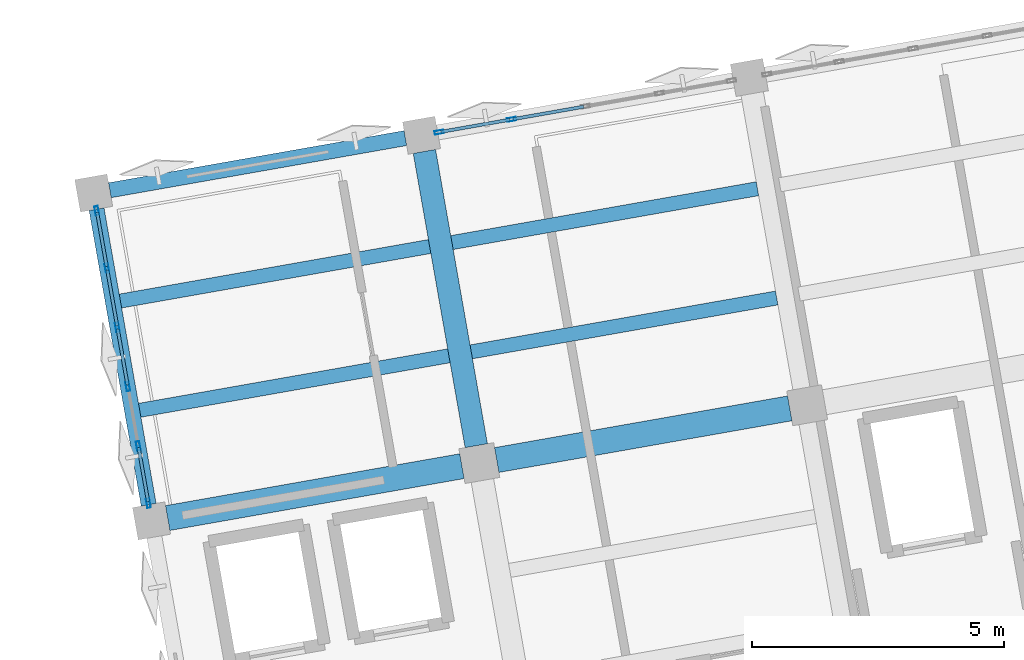
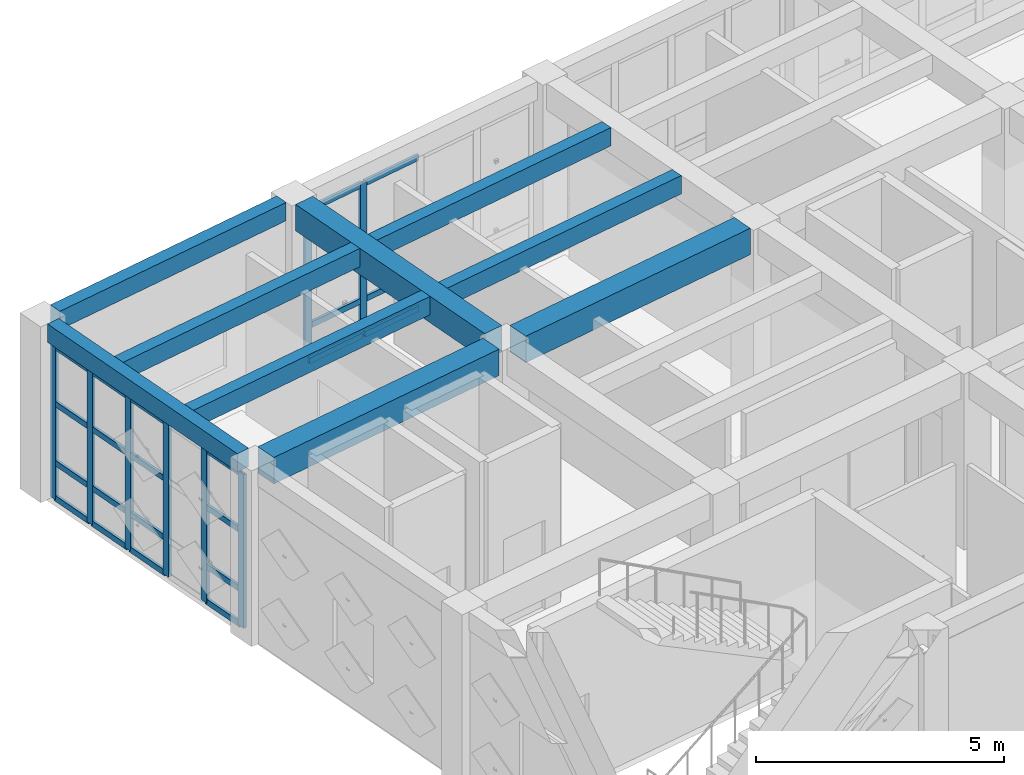
# One storey, part 15 of 67: 32 members, 9 beams, 2 elements without a shape of their own.
"""IFC4 building model written with IfcOpenShell, lengths in metres."""

from ifc_helpers import new_model, si_unit, direction, frame, origin, origin_2d, place, context, subcontext, project, spatial, rectangle, hollow_rectangle, extrude, material, layer, layer_set, material_profile, profile_set, type_object, element, aggregate, save


model = new_model("IFC4")

# Units and contexts
model_context = context("Model", 3, precision=1e-05, world=origin(), true_north=direction((0.0, 1.0)))
body_context = subcontext(model_context, "Body", "Model", "MODEL_VIEW")
ifc_project = project(units=[si_unit("LENGTHUNIT", "METRE"), si_unit("AREAUNIT", "SQUARE_METRE"), si_unit("VOLUMEUNIT", "CUBIC_METRE"), si_unit("PLANEANGLEUNIT", "RADIAN"), si_unit("MASSUNIT", "GRAM", prefix="KILO")], contexts=[model_context])

# Site, building, storey
site_placement = place(None, origin())
site = spatial("IfcSite", under=ifc_project, at=site_placement, CompositionType="ELEMENT")
building_placement = place(site_placement, origin())
building = spatial("IfcBuilding", under=site, at=building_placement, Name="Kharisveld Research Institute", CompositionType="ELEMENT")
storey_placement = place(building_placement, frame((0.0, 0.0, 9.60009765625)))
storey = spatial("IfcBuildingStorey", under=building, at=storey_placement, Name="L02", CompositionType="ELEMENT", Elevation=9.60009765625)

# Beams
ifc_material_1 = material(Name="Concrete C40/50", Category="concrete")
ifc_material_profile_1 = material_profile(ifc_material_1, rectangle(XDim=0.449951171875, YDim=0.64990234375, at=origin_2d()))
ifc_profile_set_1 = profile_set([ifc_material_profile_1], Name="Concrete C40/50")
beam_type_1 = type_object("IfcBeamType", Name="BM_RC_450x650", PredefinedType="BEAM", material=ifc_profile_set_1)
beam_1_placement = place(storey_placement, frame((9.3466796875, 49.500244140625, 3.994873046875), z_axis=(-0.173639592071, 0.984809266846, 0.0), x_axis=(-0.984809266846, -0.173639592071, 0.0)))
element("IfcBeam", 1, at=beam_1_placement, inside=storey, type_object=beam_type_1, Name="BM:V1:L02:V1_2", PredefinedType="BEAM", context=body_context, shape_type="SweptSolid", body=[
    extrude(rectangle(XDim=0.449951171875, YDim=0.64990234375, at=origin_2d()), origin(), (0.0, 0.0, 1.0), 5.925048828125),
])
ifc_material_2 = material(Name="Concrete C40/50", Category="concrete")
ifc_material_profile_2 = material_profile(ifc_material_2, rectangle(XDim=0.5, YDim=0.64990234375, at=origin_2d()))
ifc_profile_set_2 = profile_set([ifc_material_profile_2], Name="Concrete C40/50")
beam_type_2 = type_object("IfcBeamType", Name="BM_RC_500x650", PredefinedType="BEAM", material=ifc_profile_set_2)
beam_2_placement = place(storey_placement, frame((3.22802734375, 48.06591796875, 3.994873046875), z_axis=(0.984809266846, 0.173639592071, 0.0), x_axis=(-0.173639592071, 0.984809266846, 0.0)))
element("IfcBeam", 2, at=beam_2_placement, inside=storey, type_object=beam_type_2, Name="BM:V1:L02:U0_2", PredefinedType="BEAM", context=body_context, shape_type="SweptSolid", body=[
    extrude(rectangle(XDim=0.5, YDim=0.64990234375, at=origin_2d()), origin(), (0.0, 0.0, 1.0), 5.925048828125),
])
beam_3_placement = place(storey_placement, frame((9.752197265625, 49.21630859375, 3.994873046875), z_axis=(0.98481187206, 0.173624815763, 0.0), x_axis=(-0.173624815763, 0.98481187206, 0.0)))
element("IfcBeam", 3, at=beam_3_placement, inside=storey, type_object=beam_type_2, Name="BM:V1:L02:U1_2", PredefinedType="BEAM", context=body_context, shape_type="SweptSolid", body=[
    extrude(rectangle(XDim=0.5, YDim=0.64990234375, at=origin_2d()), origin(), (0.0, 0.0, 1.0), 5.900146484375),
])

# Curtain wall, members
ifc_material_3 = material(Name="Thermally Broken Aluminium Curtain Wall", Category="aluminium")
ifc_layer_1 = layer(ifc_material_3, 0.159912109375)
ifc_layer_set_1 = layer_set([ifc_layer_1], Name="CW_SYS_01")
curtain_wall_type_1 = type_object("IfcCurtainWallType", Name="CW_SYS_01", PredefinedType="NOTDEFINED", material=ifc_layer_set_1)
curtain_wall_1_placement = place(storey_placement, origin())
curtain_wall_1 = element("IfcCurtainWall", 4, at=curtain_wall_1_placement, inside=storey, type_object=curtain_wall_type_1, Name="CW:V1:L02:W2", PredefinedType="NOTDEFINED")
ifc_material_4 = material(Name="Anodised Aluminium AW-6063-T6", Category="aluminium")
ifc_material_profile_3 = material_profile(ifc_material_4, hollow_rectangle(XDim=0.070068359375, YDim=0.179931640625, WallThickness=0.00439453125, at=origin_2d()))
ifc_profile_set_3 = profile_set([ifc_material_profile_3], Name="Anodised Aluminium AW-6063-T6")
member_type_1 = type_object("IfcMemberType", Name="CW_MUL_180", PredefinedType="MULLION", material=ifc_profile_set_3)
member_1_placement = place(storey_placement, frame((2.84619140625, 48.359130859375, 0.0), z_axis=(0.0, 0.0, 1.0), x_axis=(-0.984807737371, -0.173648266375, 0.0)))
member_1 = element("IfcMember", 5, at=member_1_placement, type_object=member_type_1, Name="CW-01 mullion 1", PredefinedType="MULLION", context=body_context, shape_type="SweptSolid", body=[
    extrude(hollow_rectangle(XDim=0.070068359375, YDim=0.179931640625, WallThickness=0.00439453125, at=origin_2d()), origin(), (0.0, 0.0, 1.0), 3.77978515625),
])
member_2_placement = place(storey_placement, frame((2.645263671875, 49.49853515625, 0.0), z_axis=(0.0, 0.0, 1.0), x_axis=(-0.984807737371, -0.173648266375, 0.0)))
member_2 = element("IfcMember", 6, at=member_2_placement, type_object=member_type_1, Name="CW-01 mullion 2", PredefinedType="MULLION", context=body_context, shape_type="SweptSolid", body=[
    extrude(hollow_rectangle(XDim=0.070068359375, YDim=0.179931640625, WallThickness=0.00439453125, at=origin_2d()), origin(), (0.0, 0.0, 1.0), 3.77978515625),
])
member_3_placement = place(storey_placement, frame((2.438232421875, 50.67236328125, 0.0), z_axis=(0.0, 0.0, 1.0), x_axis=(-0.984807737371, -0.173648266375, 0.0)))
member_3 = element("IfcMember", 7, at=member_3_placement, type_object=member_type_1, Name="CW-01 mullion 3", PredefinedType="MULLION", context=body_context, shape_type="SweptSolid", body=[
    extrude(hollow_rectangle(XDim=0.070068359375, YDim=0.179931640625, WallThickness=0.00439453125, at=origin_2d()), origin(), (0.0, 0.0, 1.0), 3.77978515625),
])
member_4_placement = place(storey_placement, frame((2.231201171875, 51.84619140625, 0.0), z_axis=(0.0, 0.0, 1.0), x_axis=(-0.984807737371, -0.173648266375, 0.0)))
member_4 = element("IfcMember", 8, at=member_4_placement, type_object=member_type_1, Name="CW-01 mullion 4", PredefinedType="MULLION", context=body_context, shape_type="SweptSolid", body=[
    extrude(hollow_rectangle(XDim=0.070068359375, YDim=0.179931640625, WallThickness=0.00439453125, at=origin_2d()), origin(), (0.0, 0.0, 1.0), 3.77978515625),
])
member_5_placement = place(storey_placement, frame((2.0244140625, 53.020263671875, 0.0), z_axis=(0.0, 0.0, 1.0), x_axis=(-0.984807737371, -0.173648266375, 0.0)))
member_5 = element("IfcMember", 9, at=member_5_placement, type_object=member_type_1, Name="CW-01 mullion 5", PredefinedType="MULLION", context=body_context, shape_type="SweptSolid", body=[
    extrude(hollow_rectangle(XDim=0.070068359375, YDim=0.179931640625, WallThickness=0.00439453125, at=origin_2d()), origin(), (0.0, 0.0, 1.0), 3.77978515625),
])
member_6_placement = place(storey_placement, frame((1.823486328125, 54.15966796875, 0.0), z_axis=(0.0, 0.0, 1.0), x_axis=(-0.984807737371, -0.173648266375, 0.0)))
member_6 = element("IfcMember", 10, at=member_6_placement, type_object=member_type_1, Name="CW-01 mullion 6", PredefinedType="MULLION", context=body_context, shape_type="SweptSolid", body=[
    extrude(hollow_rectangle(XDim=0.070068359375, YDim=0.179931640625, WallThickness=0.00439453125, at=origin_2d()), origin(), (0.0, 0.0, 1.0), 3.77978515625),
])

ifc_material_5 = material(Name="Thermally Broken Aluminium Curtain Wall", Category="aluminium")
ifc_layer_2 = layer(ifc_material_5, 0.159912109375)
ifc_layer_set_2 = layer_set([ifc_layer_2], Name="CW_SYS_02")
curtain_wall_type_2 = type_object("IfcCurtainWallType", Name="CW_SYS_02", PredefinedType="NOTDEFINED", material=ifc_layer_set_2)
curtain_wall_2_placement = place(storey_placement, origin())
curtain_wall_2 = element("IfcCurtainWall", 11, at=curtain_wall_2_placement, inside=storey, type_object=curtain_wall_type_2, Name="CW:V1:L02:N1", PredefinedType="NOTDEFINED")
member_7_placement = place(storey_placement, frame((8.611083984375, 55.716796875, 0.0), z_axis=(0.0, 0.0, 1.0), x_axis=(-0.173648295062, 0.984807732312, 0.0)))
member_7 = element("IfcMember", 12, at=member_7_placement, type_object=member_type_1, Name="CW-02 mullion 1", PredefinedType="MULLION", context=body_context, shape_type="SweptSolid", body=[
    extrude(hollow_rectangle(XDim=0.070068359375, YDim=0.179931640625, WallThickness=0.00439453125, at=origin_2d()), origin(), (0.0, 0.0, 1.0), 3.77978515625),
])
member_8_placement = place(storey_placement, frame((10.0439453125, 55.969482421875, 0.0), z_axis=(0.0, 0.0, 1.0), x_axis=(-0.173648295062, 0.984807732312, 0.0)))
member_8 = element("IfcMember", 13, at=member_8_placement, type_object=member_type_1, Name="CW-02 mullion 2", PredefinedType="MULLION", context=body_context, shape_type="SweptSolid", body=[
    extrude(hollow_rectangle(XDim=0.070068359375, YDim=0.179931640625, WallThickness=0.00439453125, at=origin_2d()), origin(), (0.0, 0.0, 1.0), 3.77978515625),
])

# Member
ifc_material_6 = material(Name="Anodised Aluminium AW-6063-T6", Category="aluminium")
ifc_material_profile_4 = material_profile(ifc_material_6, hollow_rectangle(XDim=0.06494140625, YDim=0.139892578125, WallThickness=0.00390625, at=origin_2d()))
ifc_profile_set_4 = profile_set([ifc_material_profile_4], Name="Anodised Aluminium AW-6063-T6")
member_type_2 = type_object("IfcMemberType", Name="CW_TRN_140", PredefinedType="USERDEFINED", material=ifc_profile_set_4)
member_9_placement = place(storey_placement, frame((2.840087890625, 48.3935546875, 0.032470703125), z_axis=(-0.173605962667, 0.984815195723, 0.0), x_axis=(-0.984815195723, -0.173605962667, 0.0)))
member_9 = element("IfcMember", 14, at=member_9_placement, type_object=member_type_2, Name="CW-01 transom 1.1", ObjectType="TRANSOM", PredefinedType="USERDEFINED", context=body_context, shape_type="SweptSolid", body=[
    extrude(hollow_rectangle(XDim=0.06494140625, YDim=0.139892578125, WallThickness=0.00390625, at=origin_2d()), origin(), (0.0, 0.0, 1.0), 1.087158203125),
])

member_10_placement = place(storey_placement, frame((2.840087890625, 48.3935546875, 0.89990234375), z_axis=(-0.173605962667, 0.984815195723, 0.0), x_axis=(-0.984815195723, -0.173605962667, 0.0)))
member_10 = element("IfcMember", 15, at=member_10_placement, type_object=member_type_2, Name="CW-01 transom 1.2", ObjectType="TRANSOM", PredefinedType="USERDEFINED", context=body_context, shape_type="SweptSolid", body=[
    extrude(hollow_rectangle(XDim=0.06494140625, YDim=0.139892578125, WallThickness=0.00390625, at=origin_2d()), origin(), (0.0, 0.0, 1.0), 1.087158203125),
])

member_11_placement = place(storey_placement, frame((2.840087890625, 48.3935546875, 2.349853515625), z_axis=(-0.173605962667, 0.984815195723, 0.0), x_axis=(-0.984815195723, -0.173605962667, 0.0)))
member_11 = element("IfcMember", 16, at=member_11_placement, type_object=member_type_2, Name="CW-01 transom 1.3", ObjectType="TRANSOM", PredefinedType="USERDEFINED", context=body_context, shape_type="SweptSolid", body=[
    extrude(hollow_rectangle(XDim=0.06494140625, YDim=0.139892578125, WallThickness=0.00390625, at=origin_2d()), origin(), (0.0, 0.0, 1.0), 1.087158203125),
])

member_12_placement = place(storey_placement, frame((2.840087890625, 48.3935546875, 3.747314453125), z_axis=(-0.173605962667, 0.984815195723, 0.0), x_axis=(-0.984815195723, -0.173605962667, 0.0)))
member_12 = element("IfcMember", 17, at=member_12_placement, type_object=member_type_2, Name="CW-01 transom 1.4", ObjectType="TRANSOM", PredefinedType="USERDEFINED", context=body_context, shape_type="SweptSolid", body=[
    extrude(hollow_rectangle(XDim=0.06494140625, YDim=0.139892578125, WallThickness=0.00390625, at=origin_2d()), origin(), (0.0, 0.0, 1.0), 1.087158203125),
])

member_13_placement = place(storey_placement, frame((2.43212890625, 50.706787109375, 0.032470703125), z_axis=(-0.173636378072, 0.984809833526, 0.0), x_axis=(-0.984809833526, -0.173636378072, 0.0)))
member_13 = element("IfcMember", 18, at=member_13_placement, type_object=member_type_2, Name="CW-01 transom 3.1", ObjectType="TRANSOM", PredefinedType="USERDEFINED", context=body_context, shape_type="SweptSolid", body=[
    extrude(hollow_rectangle(XDim=0.06494140625, YDim=0.139892578125, WallThickness=0.00390625, at=origin_2d()), origin(), (0.0, 0.0, 1.0), 1.1220703125),
])

member_14_placement = place(storey_placement, frame((2.43212890625, 50.706787109375, 0.89990234375), z_axis=(-0.173636378072, 0.984809833526, 0.0), x_axis=(-0.984809833526, -0.173636378072, 0.0)))
member_14 = element("IfcMember", 19, at=member_14_placement, type_object=member_type_2, Name="CW-01 transom 3.2", ObjectType="TRANSOM", PredefinedType="USERDEFINED", context=body_context, shape_type="SweptSolid", body=[
    extrude(hollow_rectangle(XDim=0.06494140625, YDim=0.139892578125, WallThickness=0.00390625, at=origin_2d()), origin(), (0.0, 0.0, 1.0), 1.1220703125),
])

member_15_placement = place(storey_placement, frame((2.43212890625, 50.706787109375, 2.349853515625), z_axis=(-0.173636378072, 0.984809833526, 0.0), x_axis=(-0.984809833526, -0.173636378072, 0.0)))
member_15 = element("IfcMember", 20, at=member_15_placement, type_object=member_type_2, Name="CW-01 transom 3.3", ObjectType="TRANSOM", PredefinedType="USERDEFINED", context=body_context, shape_type="SweptSolid", body=[
    extrude(hollow_rectangle(XDim=0.06494140625, YDim=0.139892578125, WallThickness=0.00390625, at=origin_2d()), origin(), (0.0, 0.0, 1.0), 1.1220703125),
])

member_16_placement = place(storey_placement, frame((2.43212890625, 50.706787109375, 3.747314453125), z_axis=(-0.173636378072, 0.984809833526, 0.0), x_axis=(-0.984809833526, -0.173636378072, 0.0)))
member_16 = element("IfcMember", 21, at=member_16_placement, type_object=member_type_2, Name="CW-01 transom 3.4", ObjectType="TRANSOM", PredefinedType="USERDEFINED", context=body_context, shape_type="SweptSolid", body=[
    extrude(hollow_rectangle(XDim=0.06494140625, YDim=0.139892578125, WallThickness=0.00390625, at=origin_2d()), origin(), (0.0, 0.0, 1.0), 1.1220703125),
])

member_17_placement = place(storey_placement, frame((2.225341796875, 51.880859375, 0.032470703125), z_axis=(-0.17367359346, 0.984803271184, 0.0), x_axis=(-0.984803271184, -0.17367359346, 0.0)))
member_17 = element("IfcMember", 22, at=member_17_placement, type_object=member_type_2, Name="CW-01 transom 4.1", ObjectType="TRANSOM", PredefinedType="USERDEFINED", context=body_context, shape_type="SweptSolid", body=[
    extrude(hollow_rectangle(XDim=0.06494140625, YDim=0.139892578125, WallThickness=0.00390625, at=origin_2d()), origin(), (0.0, 0.0, 1.0), 1.121826171875),
])

member_18_placement = place(storey_placement, frame((2.225341796875, 51.880859375, 0.89990234375), z_axis=(-0.17367359346, 0.984803271184, 0.0), x_axis=(-0.984803271184, -0.17367359346, 0.0)))
member_18 = element("IfcMember", 23, at=member_18_placement, type_object=member_type_2, Name="CW-01 transom 4.2", ObjectType="TRANSOM", PredefinedType="USERDEFINED", context=body_context, shape_type="SweptSolid", body=[
    extrude(hollow_rectangle(XDim=0.06494140625, YDim=0.139892578125, WallThickness=0.00390625, at=origin_2d()), origin(), (0.0, 0.0, 1.0), 1.121826171875),
])

member_19_placement = place(storey_placement, frame((2.225341796875, 51.880859375, 2.349853515625), z_axis=(-0.17367359346, 0.984803271184, 0.0), x_axis=(-0.984803271184, -0.17367359346, 0.0)))
member_19 = element("IfcMember", 24, at=member_19_placement, type_object=member_type_2, Name="CW-01 transom 4.3", ObjectType="TRANSOM", PredefinedType="USERDEFINED", context=body_context, shape_type="SweptSolid", body=[
    extrude(hollow_rectangle(XDim=0.06494140625, YDim=0.139892578125, WallThickness=0.00390625, at=origin_2d()), origin(), (0.0, 0.0, 1.0), 1.121826171875),
])

member_20_placement = place(storey_placement, frame((2.225341796875, 51.880859375, 3.747314453125), z_axis=(-0.17367359346, 0.984803271184, 0.0), x_axis=(-0.984803271184, -0.17367359346, 0.0)))
member_20 = element("IfcMember", 25, at=member_20_placement, type_object=member_type_2, Name="CW-01 transom 4.4", ObjectType="TRANSOM", PredefinedType="USERDEFINED", context=body_context, shape_type="SweptSolid", body=[
    extrude(hollow_rectangle(XDim=0.06494140625, YDim=0.139892578125, WallThickness=0.00390625, at=origin_2d()), origin(), (0.0, 0.0, 1.0), 1.121826171875),
])

member_21_placement = place(storey_placement, frame((2.018310546875, 53.0546875, 0.032470703125), z_axis=(-0.173644368668, 0.984808424634, 0.0), x_axis=(-0.984808424634, -0.173644368668, 0.0)))
member_21 = element("IfcMember", 26, at=member_21_placement, type_object=member_type_2, Name="CW-01 transom 5.1", ObjectType="TRANSOM", PredefinedType="USERDEFINED", context=body_context, shape_type="SweptSolid", body=[
    extrude(hollow_rectangle(XDim=0.06494140625, YDim=0.139892578125, WallThickness=0.00390625, at=origin_2d()), origin(), (0.0, 0.0, 1.0), 1.0869140625),
])

member_22_placement = place(storey_placement, frame((2.018310546875, 53.0546875, 0.89990234375), z_axis=(-0.173644368668, 0.984808424634, 0.0), x_axis=(-0.984808424634, -0.173644368668, 0.0)))
member_22 = element("IfcMember", 27, at=member_22_placement, type_object=member_type_2, Name="CW-01 transom 5.2", ObjectType="TRANSOM", PredefinedType="USERDEFINED", context=body_context, shape_type="SweptSolid", body=[
    extrude(hollow_rectangle(XDim=0.06494140625, YDim=0.139892578125, WallThickness=0.00390625, at=origin_2d()), origin(), (0.0, 0.0, 1.0), 1.0869140625),
])

member_23_placement = place(storey_placement, frame((2.018310546875, 53.0546875, 2.349853515625), z_axis=(-0.173644368668, 0.984808424634, 0.0), x_axis=(-0.984808424634, -0.173644368668, 0.0)))
member_23 = element("IfcMember", 28, at=member_23_placement, type_object=member_type_2, Name="CW-01 transom 5.3", ObjectType="TRANSOM", PredefinedType="USERDEFINED", context=body_context, shape_type="SweptSolid", body=[
    extrude(hollow_rectangle(XDim=0.06494140625, YDim=0.139892578125, WallThickness=0.00390625, at=origin_2d()), origin(), (0.0, 0.0, 1.0), 1.0869140625),
])

member_24_placement = place(storey_placement, frame((2.018310546875, 53.0546875, 3.747314453125), z_axis=(-0.173644368668, 0.984808424634, 0.0), x_axis=(-0.984808424634, -0.173644368668, 0.0)))
member_24 = element("IfcMember", 29, at=member_24_placement, type_object=member_type_2, Name="CW-01 transom 5.4", ObjectType="TRANSOM", PredefinedType="USERDEFINED", context=body_context, shape_type="SweptSolid", body=[
    extrude(hollow_rectangle(XDim=0.06494140625, YDim=0.139892578125, WallThickness=0.00390625, at=origin_2d()), origin(), (0.0, 0.0, 1.0), 1.0869140625),
])

aggregate(curtain_wall_1, [member_1, member_2, member_3, member_4, member_5, member_6, member_9, member_10, member_11, member_12, member_13, member_14, member_15, member_16, member_17, member_18, member_19, member_20, member_21, member_22, member_23, member_24])

member_25_placement = place(storey_placement, frame((8.6455078125, 55.722900390625, 0.032470703125), z_axis=(0.984811937912, 0.173624442249, 0.0), x_axis=(-0.173624442249, 0.984811937912, 0.0)))
member_25 = element("IfcMember", 30, at=member_25_placement, type_object=member_type_2, Name="CW-02 transom 1.1", ObjectType="TRANSOM", PredefinedType="USERDEFINED", context=body_context, shape_type="SweptSolid", body=[
    extrude(hollow_rectangle(XDim=0.06494140625, YDim=0.139892578125, WallThickness=0.00390625, at=origin_2d()), origin(), (0.0, 0.0, 1.0), 1.385009765625),
])

member_26_placement = place(storey_placement, frame((8.6455078125, 55.722900390625, 0.89990234375), z_axis=(0.984811937912, 0.173624442249, 0.0), x_axis=(-0.173624442249, 0.984811937912, 0.0)))
member_26 = element("IfcMember", 31, at=member_26_placement, type_object=member_type_2, Name="CW-02 transom 1.2", ObjectType="TRANSOM", PredefinedType="USERDEFINED", context=body_context, shape_type="SweptSolid", body=[
    extrude(hollow_rectangle(XDim=0.06494140625, YDim=0.139892578125, WallThickness=0.00390625, at=origin_2d()), origin(), (0.0, 0.0, 1.0), 1.385009765625),
])

member_27_placement = place(storey_placement, frame((8.6455078125, 55.722900390625, 2.349853515625), z_axis=(0.984811937912, 0.173624442249, 0.0), x_axis=(-0.173624442249, 0.984811937912, 0.0)))
member_27 = element("IfcMember", 32, at=member_27_placement, type_object=member_type_2, Name="CW-02 transom 1.3", ObjectType="TRANSOM", PredefinedType="USERDEFINED", context=body_context, shape_type="SweptSolid", body=[
    extrude(hollow_rectangle(XDim=0.06494140625, YDim=0.139892578125, WallThickness=0.00390625, at=origin_2d()), origin(), (0.0, 0.0, 1.0), 1.385009765625),
])

member_28_placement = place(storey_placement, frame((8.6455078125, 55.722900390625, 3.747314453125), z_axis=(0.984811937912, 0.173624442249, 0.0), x_axis=(-0.173624442249, 0.984811937912, 0.0)))
member_28 = element("IfcMember", 33, at=member_28_placement, type_object=member_type_2, Name="CW-02 transom 1.4", ObjectType="TRANSOM", PredefinedType="USERDEFINED", context=body_context, shape_type="SweptSolid", body=[
    extrude(hollow_rectangle(XDim=0.06494140625, YDim=0.139892578125, WallThickness=0.00390625, at=origin_2d()), origin(), (0.0, 0.0, 1.0), 1.385009765625),
])

member_29_placement = place(storey_placement, frame((10.078369140625, 55.9755859375, 0.032470703125), z_axis=(0.984807780811, 0.17364802001, 0.0), x_axis=(-0.17364802001, 0.984807780811, 0.0)))
member_29 = element("IfcMember", 34, at=member_29_placement, type_object=member_type_2, Name="CW-02 transom 2.1", ObjectType="TRANSOM", PredefinedType="USERDEFINED", context=body_context, shape_type="SweptSolid", body=[
    extrude(hollow_rectangle(XDim=0.06494140625, YDim=0.139892578125, WallThickness=0.00390625, at=origin_2d()), origin(), (0.0, 0.0, 1.0), 1.419921875),
])

member_30_placement = place(storey_placement, frame((10.078369140625, 55.9755859375, 0.89990234375), z_axis=(0.984807780811, 0.17364802001, 0.0), x_axis=(-0.17364802001, 0.984807780811, 0.0)))
member_30 = element("IfcMember", 35, at=member_30_placement, type_object=member_type_2, Name="CW-02 transom 2.2", ObjectType="TRANSOM", PredefinedType="USERDEFINED", context=body_context, shape_type="SweptSolid", body=[
    extrude(hollow_rectangle(XDim=0.06494140625, YDim=0.139892578125, WallThickness=0.00390625, at=origin_2d()), origin(), (0.0, 0.0, 1.0), 1.419921875),
])

member_31_placement = place(storey_placement, frame((10.078369140625, 55.9755859375, 2.349853515625), z_axis=(0.984807780811, 0.17364802001, 0.0), x_axis=(-0.17364802001, 0.984807780811, 0.0)))
member_31 = element("IfcMember", 36, at=member_31_placement, type_object=member_type_2, Name="CW-02 transom 2.3", ObjectType="TRANSOM", PredefinedType="USERDEFINED", context=body_context, shape_type="SweptSolid", body=[
    extrude(hollow_rectangle(XDim=0.06494140625, YDim=0.139892578125, WallThickness=0.00390625, at=origin_2d()), origin(), (0.0, 0.0, 1.0), 1.419921875),
])

member_32_placement = place(storey_placement, frame((10.078369140625, 55.9755859375, 3.747314453125), z_axis=(0.984807780811, 0.17364802001, 0.0), x_axis=(-0.17364802001, 0.984807780811, 0.0)))
member_32 = element("IfcMember", 37, at=member_32_placement, type_object=member_type_2, Name="CW-02 transom 2.4", ObjectType="TRANSOM", PredefinedType="USERDEFINED", context=body_context, shape_type="SweptSolid", body=[
    extrude(hollow_rectangle(XDim=0.06494140625, YDim=0.139892578125, WallThickness=0.00390625, at=origin_2d()), origin(), (0.0, 0.0, 1.0), 1.419921875),
])

aggregate(curtain_wall_2, [member_7, member_8, member_25, member_26, member_27, member_28, member_29, member_30, member_31, member_32])

# Beams
ifc_material_7 = material(Name="Concrete C40/50", Category="concrete")
ifc_material_profile_5 = material_profile(ifc_material_7, rectangle(XDim=0.300048828125, YDim=0.449951171875, at=origin_2d()))
ifc_profile_set_5 = profile_set([ifc_material_profile_5], Name="Concrete C40/50")
beam_type_3 = type_object("IfcBeamType", Name="SP_RC_300x450", PredefinedType="SPANDREL", material=ifc_profile_set_5)
for number, where, z_axis, x_axis, name in (
    (38, (2.081787109375, 54.565673828125, 4.094970703125), (0.984807920462, 0.173647228007, 0.0), (-0.173647228007, 0.984807920462, 0.0), "BM:V1:L02:U0_3"),
    (39, (2.851318359375, 48.32958984375, 4.094970703125), (-0.173647228007, 0.984807920462, 0.0), (-0.984807920462, -0.173647228007, 0.0), "BM:V1:L02:V0_2"),
):
    element("IfcBeam", number, at=place(storey_placement, frame(where, z_axis=z_axis, x_axis=x_axis)), inside=storey, type_object=beam_type_3, Name=name, PredefinedType="SPANDREL", context=body_context, shape_type="SweptSolid", body=[
        extrude(rectangle(XDim=0.300048828125, YDim=0.449951171875, at=origin_2d()), origin(), (0.0, 0.0, 1.0), 5.949951171875),
    ])
ifc_material_8 = material(Name="Concrete C40/50", Category="concrete")
ifc_material_profile_6 = material_profile(ifc_material_8, rectangle(XDim=0.280029296875, YDim=0.449951171875, at=origin_2d()))
ifc_profile_set_6 = profile_set([ifc_material_profile_6], Name="Concrete C40/50")
beam_type_4 = type_object("IfcBeamType", Name="WB_RC_280x450", PredefinedType="JOIST", material=ifc_profile_set_6)
for number, where, z_axis, x_axis, name in (
    (40, (2.673583984375, 50.2021484375, 4.094970703125), (0.984811579018, 0.17362647791, 0.0), (-0.17362647791, 0.984811579018, 0.0), "BM:V1:L02:J_0_2_R1"),
    (41, (2.29150390625, 52.36865234375, 4.094970703125), (0.984804872144, 0.173664515088, 0.0), (-0.173664515088, 0.984804872144, 0.0), "BM:V1:L02:J_0_2_R2"),
):
    element("IfcBeam", number, at=place(storey_placement, frame(where, z_axis=z_axis, x_axis=x_axis)), inside=storey, type_object=beam_type_4, Name=name, PredefinedType="JOIST", context=body_context, shape_type="SweptSolid", body=[
        extrude(rectangle(XDim=0.280029296875, YDim=0.449951171875, at=origin_2d()), origin(), (0.0, 0.0, 1.0), 6.224853515625),
    ])
for number, where, z_axis, x_axis, name in (
    (42, (9.2470703125, 51.361083984375, 4.094970703125), (0.984803134643, 0.173674367706, 0.0), (-0.173674367706, 0.984803134643, 0.0), "BM:V1:L02:J_1_2_R1"),
    (43, (8.864990234375, 53.52783203125, 4.094970703125), (0.984809923515, 0.173635867682, 0.0), (-0.173635867682, 0.984809923515, 0.0), "BM:V1:L02:J_1_2_R2"),
):
    element("IfcBeam", number, at=place(storey_placement, frame(where, z_axis=z_axis, x_axis=x_axis)), inside=storey, type_object=beam_type_4, Name=name, PredefinedType="JOIST", context=body_context, shape_type="SweptSolid", body=[
        extrude(rectangle(XDim=0.280029296875, YDim=0.449951171875, at=origin_2d()), origin(), (0.0, 0.0, 1.0), 6.150146484375),
    ])

save(model, "model.ifc")
